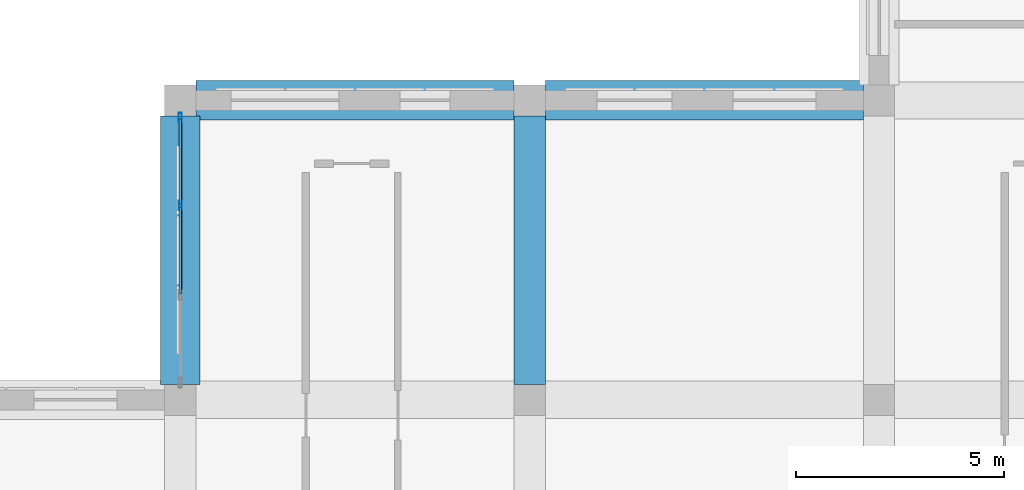
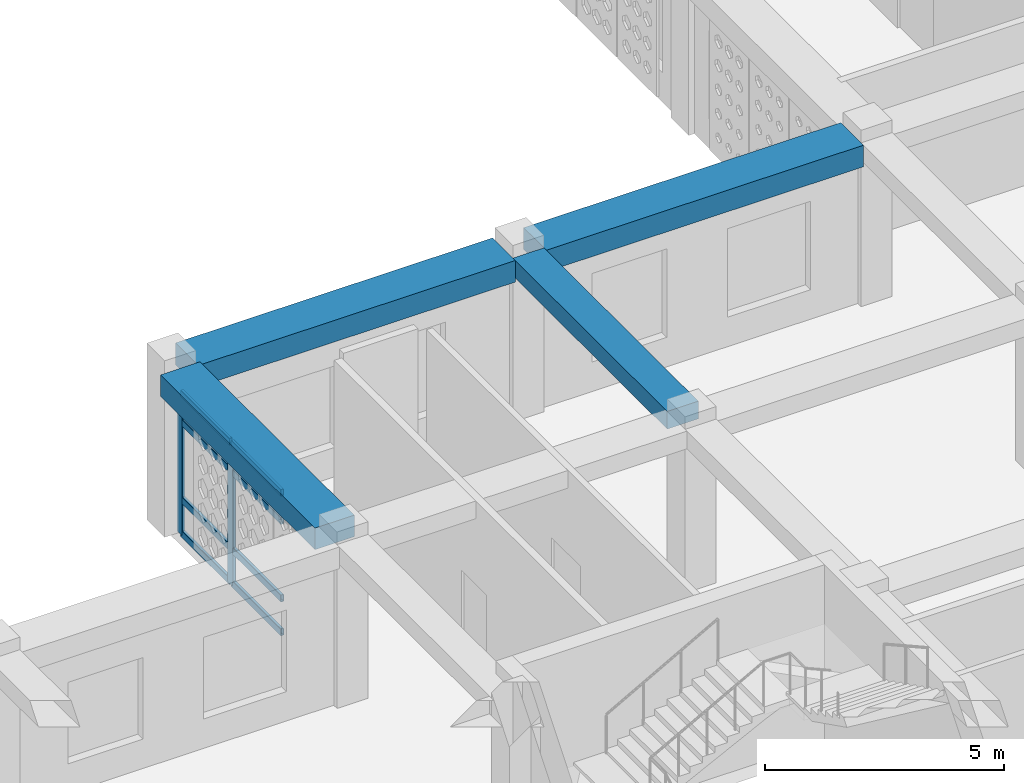
# One storey, part 39 of 121: 10 members, 4 beams, 1 element without a shape of its own.
"""IFC4 building model written with IfcOpenShell, lengths in metres."""

import ifcopenshell
import ifcopenshell.guid

model = None  # the IFC model being written
_history = None  # IfcOwnerHistory: only IFC2X3 demands one
_inside = {}  # id of a spatial element -> (the spatial element, [elements in it])
_under = {}  # id of a project, library or spatial element -> (it, [spatial elements below it])
_declared = {}  # id of a project -> (the project, [libraries it declares])
_typed = {}  # id of a type object -> (the type object, [elements of that type])
_made_of = {}  # id of a material, layer set ... -> (it, [elements and type objects made of it])


def new_model(schema):
    """Start an empty IFC model of exactly this schema.

    Asked for "IFC4X3", IfcOpenShell would pick the latest addendum, in which some entities
    have other attributes; the version numbers below select the first issue.
    IFC2X3 requires an IfcOwnerHistory on every rooted entity: one is made here for all.
    """
    global model, _history
    if schema == "IFC4X3":
        model = ifcopenshell.file(schema_version=(4, 3, 0, 0))
    else:
        model = ifcopenshell.file(schema=schema)
    _inside.clear()
    _under.clear()
    _declared.clear()
    _typed.clear()
    _made_of.clear()
    _history = None
    if model.schema == "IFC2X3":
        org = make("IfcOrganization", Name="unknown")
        user = make(
            "IfcPersonAndOrganization",
            ThePerson=make("IfcPerson", FamilyName="unknown"),
            TheOrganization=org,
        )
        app = make(
            "IfcApplication",
            ApplicationDeveloper=org,
            Version="unknown",
            ApplicationFullName="unknown",
            ApplicationIdentifier="unknown",
        )
        _history = make(
            "IfcOwnerHistory",
            OwningUser=user,
            OwningApplication=app,
            ChangeAction="ADDED",
            CreationDate=0,
        )
    return model


def make(cls, **values):
    """One entity of the class cls with the attributes given. An attribute that is None is left unset."""
    return model.create_entity(
        cls, **{name: value for name, value in values.items() if value is not None}
    )


def rooted(cls, **values):
    """An entity with a GlobalId (a new one), such as an element, a storey or a relation."""
    return make(cls, GlobalId=ifcopenshell.guid.new(), OwnerHistory=_history, **values)


def si_unit(unit_type, name, prefix=None):
    """IfcSIUnit, for example si_unit("LENGTHUNIT", "METRE", prefix="MILLI")."""
    return make("IfcSIUnit", UnitType=unit_type, Prefix=prefix, Name=name)


def derived_unit(unit_type, elements):
    """IfcDerivedUnit: a product of units, each with its exponent."""
    return make(
        "IfcDerivedUnit",
        Elements=[
            make("IfcDerivedUnitElement", Unit=unit, Exponent=power)
            for unit, power in elements
        ],
        UnitType=unit_type,
    )


def assignment(units):
    """IfcUnitAssignment: the units of a project."""
    return None if units is None else make("IfcUnitAssignment", Units=units)


def point(xyz):
    """IfcCartesianPoint."""
    return None if xyz is None else make("IfcCartesianPoint", Coordinates=xyz)


def direction(xyz):
    """IfcDirection."""
    return None if xyz is None else make("IfcDirection", DirectionRatios=xyz)


def frame(location, z_axis=None, x_axis=None):
    """IfcAxis2Placement3D, a coordinate frame: its origin and axes. An axis left out is left unset."""
    return make(
        "IfcAxis2Placement3D",
        Location=point(location),
        Axis=direction(z_axis),
        RefDirection=direction(x_axis),
    )


def frame_2d(location, x_axis=None):
    """IfcAxis2Placement2D, a coordinate frame in the plane: its origin and x axis."""
    return make(
        "IfcAxis2Placement2D", Location=point(location), RefDirection=direction(x_axis)
    )


def origin():
    """The frame at (0, 0, 0) with its axes left unset."""
    return frame((0.0, 0.0, 0.0))


def origin_2d():
    """The frame at (0, 0) in the plane with its x axis left unset."""
    return frame_2d((0.0, 0.0))


def place(relative_to, where):
    """IfcLocalPlacement: puts the frame where relative to a parent placement (None: the world)."""
    return make(
        "IfcLocalPlacement", PlacementRelTo=relative_to, RelativePlacement=where
    )


def context(
    kind, dimensions, precision=None, world=None, true_north=None, identifier=None
):
    """IfcGeometricRepresentationContext, for example the 3D "Model" context."""
    return make(
        "IfcGeometricRepresentationContext",
        ContextIdentifier=identifier,
        ContextType=kind,
        CoordinateSpaceDimension=dimensions,
        Precision=precision,
        WorldCoordinateSystem=world,
        TrueNorth=true_north,
    )


def subcontext(parent, identifier, kind, view, scale=None):
    """IfcGeometricRepresentationSubContext, for example "Body" below "Model"."""
    return make(
        "IfcGeometricRepresentationSubContext",
        ContextIdentifier=identifier,
        ContextType=kind,
        ParentContext=parent,
        TargetScale=scale,
        TargetView=view,
    )


def project(units=None, contexts=None):
    """IfcProject with its units and contexts."""
    return rooted(
        "IfcProject",
        Name="project",
        RepresentationContexts=contexts,
        UnitsInContext=assignment(units),
    )


def spatial(cls, under=None, at=None, **own):
    """A site, building, storey or space (cls), placed at a placement, below another one or the project."""
    s = rooted(cls, ObjectPlacement=at, **own)
    if under is not None:
        _under.setdefault(under.id(), (under, []))[1].append(s)
    return s


def profile(cls, at=None, kind="AREA", **sizes):
    """A parametric profile (cls). Its sizes go by their IFC names, for example OverallWidth=200.0."""
    return make(cls, ProfileType=kind, Position=at, **sizes)


def rectangle(**sizes):
    """IfcRectangleProfileDef."""
    return profile("IfcRectangleProfileDef", **sizes)


def hollow_rectangle(**sizes):
    """IfcRectangleHollowProfileDef."""
    return profile("IfcRectangleHollowProfileDef", **sizes)


def extrude(swept, where, along, depth):
    """IfcExtrudedAreaSolid: the profile swept, set in the frame where, extruded along a direction by depth."""
    return make(
        "IfcExtrudedAreaSolid",
        SweptArea=swept,
        Position=where,
        ExtrudedDirection=direction(along),
        Depth=depth,
    )


def shape(context_of_items, identifier, shape_type, items):
    """IfcShapeRepresentation: the items that make up one representation, for example the "Body"."""
    return make(
        "IfcShapeRepresentation",
        ContextOfItems=context_of_items,
        RepresentationIdentifier=identifier,
        RepresentationType=shape_type,
        Items=items,
    )


def material(Name=None, Category=None):
    """IfcMaterial."""
    return make("IfcMaterial", Name=Name, Category=Category)


def material_profile(
    of_material, cross_section, Name=None, Category=None, Priority=None
):
    """IfcMaterialProfile: a cross section and its material."""
    return make(
        "IfcMaterialProfile",
        Name=Name,
        Material=of_material,
        Profile=cross_section,
        Priority=Priority,
        Category=Category,
    )


def profile_set(profiles, Name=None, composite=None):
    """IfcMaterialProfileSet."""
    return make(
        "IfcMaterialProfileSet",
        Name=Name,
        MaterialProfiles=profiles,
        CompositeProfile=composite,
    )


def made_of(thing, what):
    """Note that an element or type object is made of a material, layer set ...; save() writes the relation."""
    if what is not None:
        _made_of.setdefault(what.id(), (what, []))[1].append(thing)
    return thing


def type_object(cls, material=None, **own):
    """A type object (cls), such as IfcWallType, which elements share."""
    return made_of(rooted(cls, **own), material)


def element(
    cls,
    number,
    at=None,
    inside=None,
    cuts=None,
    type_object=None,
    material=None,
    context=None,
    identifier="Body",
    shape_type=None,
    held_by="IfcProductDefinitionShape",
    body=None,
    shapes=None,
    **own,
):
    """One element of the class cls, such as IfcWall. Its Tag is "e" and its number.

    at: its placement. inside: the storey or other place that contains it. cuts: it is an
    opening in that element (IfcRelVoidsElement). A single representation is given by context,
    identifier, shape_type and body (its items); several are given by shapes. held_by: the class
    of the entity that holds the representations. save() writes the other relations.
    """
    e = rooted(cls, Tag="e%d" % number, ObjectPlacement=at, **own)
    if body is not None:
        shapes = [shape(context, identifier, shape_type, body)]
    if shapes is not None:
        e.Representation = make(held_by, Representations=shapes)
    if inside is not None:
        _inside.setdefault(inside.id(), (inside, []))[1].append(e)
    if cuts is not None:
        rooted(
            "IfcRelVoidsElement", RelatingBuildingElement=cuts, RelatedOpeningElement=e
        )
    if type_object is not None:
        _typed.setdefault(type_object.id(), (type_object, []))[1].append(e)
    return made_of(e, material)


def aggregate(whole, parts):
    """IfcRelAggregates: a whole, such as a stair, and the parts it consists of."""
    return rooted("IfcRelAggregates", RelatingObject=whole, RelatedObjects=parts)


def save(model, path):
    """Write the relations noted so far, then the file.

    IfcRelAggregates (storeys below a building ...), IfcRelContainedInSpatialStructure (elements
    in a storey), IfcRelDefinesByType, IfcRelAssociatesMaterial and IfcRelDeclares: one each for
    every whole, place, type object, material and project.
    """
    for whole, parts in _under.values():
        aggregate(whole, parts)
    for where, things in _inside.values():
        rooted(
            "IfcRelContainedInSpatialStructure",
            RelatedElements=things,
            RelatingStructure=where,
        )
    for kind, things in _typed.values():
        rooted("IfcRelDefinesByType", RelatedObjects=things, RelatingType=kind)
    for what, things in _made_of.values():
        rooted("IfcRelAssociatesMaterial", RelatedObjects=things, RelatingMaterial=what)
    for by, libraries in _declared.values():
        rooted("IfcRelDeclares", RelatingContext=by, RelatedDefinitions=libraries)
    model.write(path)


model = new_model("IFC4")

# Units and contexts
model_context = context("Model", 3, precision=1e-05, world=origin(), true_north=direction((0.0, 1.0)))
body_context = subcontext(model_context, "Body", "Model", "MODEL_VIEW")
ifc_project = project(units=[si_unit("LENGTHUNIT", "METRE"), si_unit("AREAUNIT", "SQUARE_METRE"), si_unit("VOLUMEUNIT", "CUBIC_METRE"), si_unit("PLANEANGLEUNIT", "RADIAN"), si_unit("MASSUNIT", "GRAM", prefix="KILO"), derived_unit("THERMALTRANSMITTANCEUNIT", [(si_unit("POWERUNIT", "WATT"), 1), (si_unit("LENGTHUNIT", "METRE"), -2), (si_unit("THERMODYNAMICTEMPERATUREUNIT", "KELVIN"), -1)])], contexts=[model_context])

# Site, building, storey
site_placement = place(None, origin())
site = spatial("IfcSite", under=ifc_project, at=site_placement, CompositionType="ELEMENT")
building_placement = place(site_placement, origin())
building = spatial("IfcBuilding", under=site, at=building_placement, Name="Veybourne Emporium", CompositionType="ELEMENT")
storey_placement = place(building_placement, frame((0.0, 0.0, 5.39990234375)))
storey = spatial("IfcBuildingStorey", under=building, at=storey_placement, Name="L01", CompositionType="ELEMENT", Elevation=5.39990234375)

# Curtain wall, members
ifc_material_1 = material(Name="Patinated Architectural Bronze", Category="bronze")
curtain_wall_type = type_object("IfcCurtainWallType", Name="CWSystem_CWS-02", PredefinedType="NOTDEFINED", material=ifc_material_1)
curtain_wall_placement = place(storey_placement, origin())
curtain_wall = element("IfcCurtainWall", 1, at=curtain_wall_placement, inside=storey, type_object=curtain_wall_type, Name="L01 bronze glazed curtain wall CWS-02 (018)", PredefinedType="NOTDEFINED")
ifc_material_profile_1 = material_profile(ifc_material_1, hollow_rectangle(XDim=0.074951171875, YDim=0.22998046875, WallThickness=0.0048828125, InnerFilletRadius=0.007568359375, OuterFilletRadius=0.012451171875, at=origin_2d()), Name="CWM 75x230x5")
ifc_profile_set_1 = profile_set([ifc_material_profile_1], Name="Patinated Architectural Bronze")
member_type_1 = type_object("IfcMemberType", Name="CWMullion_CW-M2", PredefinedType="MULLION", material=ifc_profile_set_1)
member_1_placement = place(storey_placement, frame((16.800048828125, 83.875, 0.0), z_axis=(0.0, 0.0, 1.0), x_axis=(-1.0, 0.0, 0.0)))
member_1 = element("IfcMember", 2, at=member_1_placement, type_object=member_type_1, Name="CWS-02 mullion 3", PredefinedType="MULLION", context=body_context, shape_type="SweptSolid", body=[
    extrude(hollow_rectangle(XDim=0.074951171875, YDim=0.22998046875, WallThickness=0.0048828125, InnerFilletRadius=0.007568359375, OuterFilletRadius=0.012451171875, at=origin_2d()), origin(), (0.0, 0.0, 1.0), 3.630126953125),
])
member_2_placement = place(storey_placement, frame((16.800048828125, 85.987548828125, 0.0), z_axis=(0.0, 0.0, 1.0), x_axis=(-1.0, 0.0, 0.0)))
member_2 = element("IfcMember", 3, at=member_2_placement, type_object=member_type_1, Name="CWS-02 mullion 4", PredefinedType="MULLION", context=body_context, shape_type="SweptSolid", body=[
    extrude(hollow_rectangle(XDim=0.074951171875, YDim=0.22998046875, WallThickness=0.0048828125, InnerFilletRadius=0.007568359375, OuterFilletRadius=0.012451171875, at=origin_2d()), origin(), (0.0, 0.0, 1.0), 3.630126953125),
])
ifc_material_profile_2 = material_profile(ifc_material_1, hollow_rectangle(XDim=0.074951171875, YDim=0.179931640625, WallThickness=0.0048828125, InnerFilletRadius=0.007568359375, OuterFilletRadius=0.012451171875, at=origin_2d()), Name="CWT 75x180x5")
ifc_profile_set_2 = profile_set([ifc_material_profile_2], Name="Patinated Architectural Bronze")
member_type_2 = type_object("IfcMemberType", Name="CWTransom_CW-T2", PredefinedType="NOTDEFINED", material=ifc_profile_set_2)
member_3_placement = place(storey_placement, frame((16.800048828125, 81.762451171875, 0.03759765625), z_axis=(0.0, 1.0, 0.0), x_axis=(-1.0, 0.0, 0.0)))
member_3 = element("IfcMember", 4, at=member_3_placement, type_object=member_type_2, Name="CWS-02 transom 2.1", ObjectType="TRANSOM", PredefinedType="USERDEFINED", context=body_context, shape_type="SweptSolid", body=[
    extrude(hollow_rectangle(XDim=0.074951171875, YDim=0.179931640625, WallThickness=0.0048828125, InnerFilletRadius=0.007568359375, OuterFilletRadius=0.012451171875, at=origin_2d()), origin(), (0.0, 0.0, 1.0), 2.074951171875),
])
member_4_placement = place(storey_placement, frame((16.800048828125, 81.762451171875, 0.900146484375), z_axis=(0.0, 1.0, 0.0), x_axis=(-1.0, 0.0, 0.0)))
member_4 = element("IfcMember", 5, at=member_4_placement, type_object=member_type_2, Name="CWS-02 transom 2.2", ObjectType="TRANSOM", PredefinedType="USERDEFINED", context=body_context, shape_type="SweptSolid", body=[
    extrude(hollow_rectangle(XDim=0.074951171875, YDim=0.179931640625, WallThickness=0.0048828125, InnerFilletRadius=0.007568359375, OuterFilletRadius=0.012451171875, at=origin_2d()), origin(), (0.0, 0.0, 1.0), 2.074951171875),
])
member_5_placement = place(storey_placement, frame((16.800048828125, 81.762451171875, 2.880126953125), z_axis=(0.0, 1.0, 0.0), x_axis=(-1.0, 0.0, 0.0)))
member_5 = element("IfcMember", 6, at=member_5_placement, type_object=member_type_2, Name="CWS-02 transom 2.3", ObjectType="TRANSOM", PredefinedType="USERDEFINED", context=body_context, shape_type="SweptSolid", body=[
    extrude(hollow_rectangle(XDim=0.074951171875, YDim=0.179931640625, WallThickness=0.0048828125, InnerFilletRadius=0.007568359375, OuterFilletRadius=0.012451171875, at=origin_2d()), origin(), (0.0, 0.0, 1.0), 2.074951171875),
])
member_6_placement = place(storey_placement, frame((16.800048828125, 81.762451171875, 3.592529296875), z_axis=(0.0, 1.0, 0.0), x_axis=(-1.0, 0.0, 0.0)))
member_6 = element("IfcMember", 7, at=member_6_placement, type_object=member_type_2, Name="CWS-02 transom 2.4", ObjectType="TRANSOM", PredefinedType="USERDEFINED", context=body_context, shape_type="SweptSolid", body=[
    extrude(hollow_rectangle(XDim=0.074951171875, YDim=0.179931640625, WallThickness=0.0048828125, InnerFilletRadius=0.007568359375, OuterFilletRadius=0.012451171875, at=origin_2d()), origin(), (0.0, 0.0, 1.0), 2.074951171875),
])
member_7_placement = place(storey_placement, frame((16.800048828125, 83.91259765625, 0.03759765625), z_axis=(0.0, 1.0, 0.0), x_axis=(-1.0, 0.0, 0.0)))
member_7 = element("IfcMember", 8, at=member_7_placement, type_object=member_type_2, Name="CWS-02 transom 3.1", ObjectType="TRANSOM", PredefinedType="USERDEFINED", context=body_context, shape_type="SweptSolid", body=[
    extrude(hollow_rectangle(XDim=0.074951171875, YDim=0.179931640625, WallThickness=0.0048828125, InnerFilletRadius=0.007568359375, OuterFilletRadius=0.012451171875, at=origin_2d()), origin(), (0.0, 0.0, 1.0), 2.037353515625),
])
member_8_placement = place(storey_placement, frame((16.800048828125, 83.91259765625, 0.900146484375), z_axis=(0.0, 1.0, 0.0), x_axis=(-1.0, 0.0, 0.0)))
member_8 = element("IfcMember", 9, at=member_8_placement, type_object=member_type_2, Name="CWS-02 transom 3.2", ObjectType="TRANSOM", PredefinedType="USERDEFINED", context=body_context, shape_type="SweptSolid", body=[
    extrude(hollow_rectangle(XDim=0.074951171875, YDim=0.179931640625, WallThickness=0.0048828125, InnerFilletRadius=0.007568359375, OuterFilletRadius=0.012451171875, at=origin_2d()), origin(), (0.0, 0.0, 1.0), 2.037353515625),
])
member_9_placement = place(storey_placement, frame((16.800048828125, 83.91259765625, 2.880126953125), z_axis=(0.0, 1.0, 0.0), x_axis=(-1.0, 0.0, 0.0)))
member_9 = element("IfcMember", 10, at=member_9_placement, type_object=member_type_2, Name="CWS-02 transom 3.3", ObjectType="TRANSOM", PredefinedType="USERDEFINED", context=body_context, shape_type="SweptSolid", body=[
    extrude(hollow_rectangle(XDim=0.074951171875, YDim=0.179931640625, WallThickness=0.0048828125, InnerFilletRadius=0.007568359375, OuterFilletRadius=0.012451171875, at=origin_2d()), origin(), (0.0, 0.0, 1.0), 2.037353515625),
])
member_10_placement = place(storey_placement, frame((16.800048828125, 83.91259765625, 3.592529296875), z_axis=(0.0, 1.0, 0.0), x_axis=(-1.0, 0.0, 0.0)))
member_10 = element("IfcMember", 11, at=member_10_placement, type_object=member_type_2, Name="CWS-02 transom 3.4", ObjectType="TRANSOM", PredefinedType="USERDEFINED", context=body_context, shape_type="SweptSolid", body=[
    extrude(hollow_rectangle(XDim=0.074951171875, YDim=0.179931640625, WallThickness=0.0048828125, InnerFilletRadius=0.007568359375, OuterFilletRadius=0.012451171875, at=origin_2d()), origin(), (0.0, 0.0, 1.0), 2.037353515625),
])
aggregate(curtain_wall, [member_1, member_2, member_3, member_4, member_5, member_6, member_7, member_8, member_9, member_10])

# Beams
ifc_material_2 = material(Name="Concrete C32/40", Category="concrete")
ifc_material_profile_3 = material_profile(ifc_material_2, rectangle(XDim=0.75, YDim=0.449951171875, at=origin_2d()), Name="RC 750x450")
ifc_profile_set_3 = profile_set([ifc_material_profile_3], Name="Concrete C32/40")
beam_type_1 = type_object("IfcBeamType", Name="RCBeam_BB-04", PredefinedType="BEAM", material=ifc_profile_set_3)
beam_1_placement = place(storey_placement, frame((25.199951171875, 79.574951171875, 3.955078125), z_axis=(0.0, 1.0, 0.0), x_axis=(-1.0, 0.0, 0.0)))
element("IfcBeam", 12, at=beam_1_placement, inside=storey, type_object=beam_type_1, Name="L01 Y-grid beam BB-04 (3,11)", PredefinedType="BEAM", context=body_context, shape_type="SweptSolid", body=[
    extrude(rectangle(XDim=0.75, YDim=0.449951171875, at=origin_2d()), origin(), (0.0, 0.0, 1.0), 6.449951171875),
])
ifc_material_profile_4 = material_profile(ifc_material_2, rectangle(XDim=0.949951171875, YDim=0.550048828125, at=origin_2d()), Name="RC 950x550")
ifc_profile_set_4 = profile_set([ifc_material_profile_4], Name="Concrete C32/40")
beam_type_2 = type_object("IfcBeamType", Name="RCBeam_EB-01", PredefinedType="SPANDREL", material=ifc_profile_set_4)
beam_2_placement = place(storey_placement, frame((17.175048828125, 86.39990234375, 3.905029296875), z_axis=(1.0, 0.0, 0.0), x_axis=(0.0, 1.0, 0.0)))
element("IfcBeam", 13, at=beam_2_placement, inside=storey, type_object=beam_type_2, Name="L01 X-grid beam EB-01 (2,12)", PredefinedType="SPANDREL", context=body_context, shape_type="SweptSolid", body=[
    extrude(rectangle(XDim=0.949951171875, YDim=0.550048828125, at=origin_2d()), origin(), (0.0, 0.0, 1.0), 7.64990234375),
])
beam_3_placement = place(storey_placement, frame((25.574951171875, 86.39990234375, 3.905029296875), z_axis=(1.0, 0.0, 0.0), x_axis=(0.0, 1.0, 0.0)))
element("IfcBeam", 14, at=beam_3_placement, inside=storey, type_object=beam_type_2, Name="L01 X-grid beam EB-01 (3,12)", PredefinedType="SPANDREL", context=body_context, shape_type="SweptSolid", body=[
    extrude(rectangle(XDim=0.949951171875, YDim=0.550048828125, at=origin_2d()), origin(), (0.0, 0.0, 1.0), 7.650146484375),
])
beam_4_placement = place(storey_placement, frame((16.800048828125, 79.574951171875, 3.905029296875), z_axis=(0.0, 1.0, 0.0), x_axis=(-1.0, 0.0, 0.0)))
element("IfcBeam", 15, at=beam_4_placement, inside=storey, type_object=beam_type_2, Name="L01 Y-grid beam EB-01 (2,11)", PredefinedType="SPANDREL", context=body_context, shape_type="SweptSolid", body=[
    extrude(rectangle(XDim=0.949951171875, YDim=0.550048828125, at=origin_2d()), origin(), (0.0, 0.0, 1.0), 6.449951171875),
])

save(model, "model.ifc")
